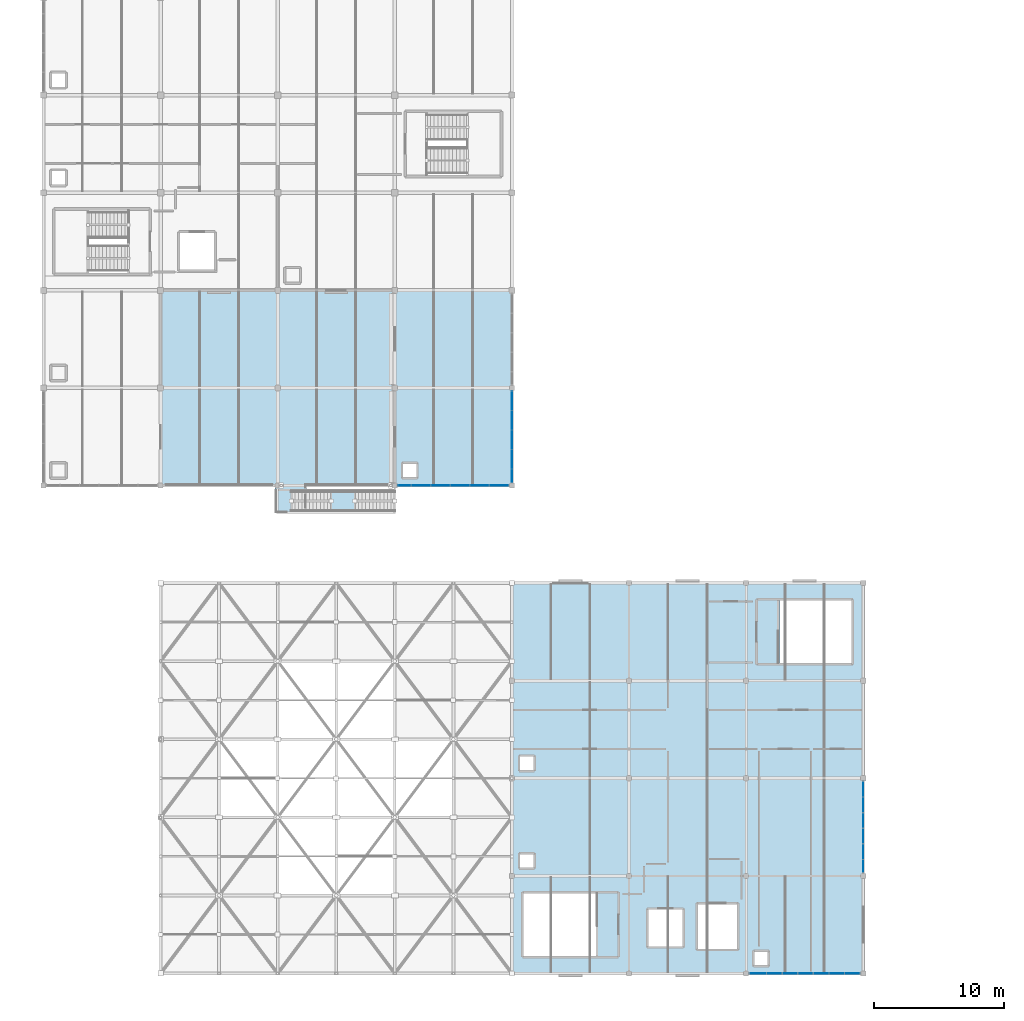
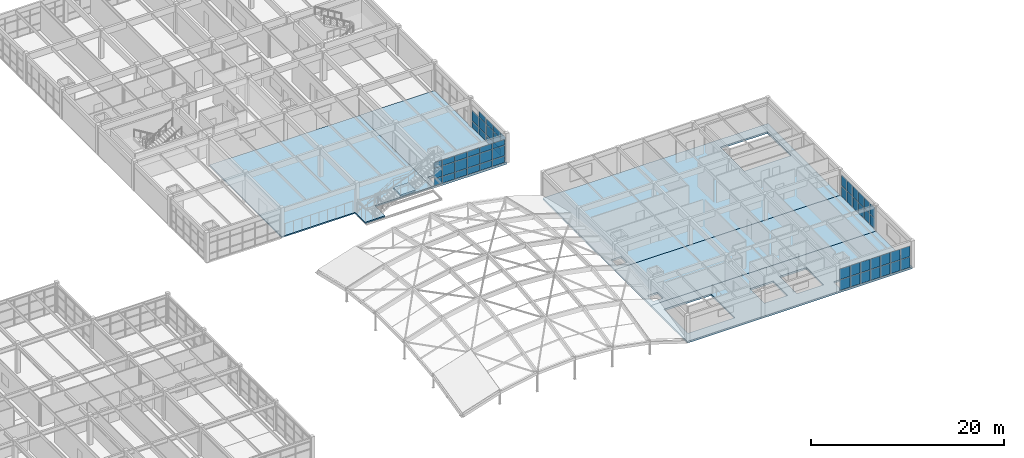
# One storey, part 54 of 81: 58 plates, 6 slabs, 5 elements without a shape of their own.
"""IFC4 building model written with IfcOpenShell, lengths in metres."""

from ifc_helpers import new_model, si_unit, direction, frame, origin, origin_2d, place, context, subcontext, project, spatial, polyline, rectangle, outline, extrude, material, layer, layer_set, type_object, element, aggregate, save


model = new_model("IFC4")

# Units and contexts
model_context = context("Model", 3, precision=1e-05, world=origin(), true_north=direction((0.0, 1.0)))
body_context = subcontext(model_context, "Body", "Model", "MODEL_VIEW")
ifc_project = project(units=[si_unit("LENGTHUNIT", "METRE"), si_unit("AREAUNIT", "SQUARE_METRE"), si_unit("VOLUMEUNIT", "CUBIC_METRE"), si_unit("PLANEANGLEUNIT", "RADIAN"), si_unit("MASSUNIT", "GRAM", prefix="KILO")], contexts=[model_context])

# Site, building, storey
site_placement = place(None, origin())
site = spatial("IfcSite", under=ifc_project, at=site_placement, CompositionType="ELEMENT")
building_placement = place(site_placement, origin())
building = spatial("IfcBuilding", under=site, at=building_placement, Name="Marnridge Secondary College", CompositionType="ELEMENT")
storey_placement = place(building_placement, frame((0.0, 0.0, 8.5)))
storey = spatial("IfcBuildingStorey", under=building, at=storey_placement, Name="L02", CompositionType="ELEMENT", Elevation=8.5)

# Curtain wall, plates
ifc_material_1 = material(Name="Thermally broken aluminium and low-E glazing", Category="aluminium")
ifc_layer_1 = layer(ifc_material_1, 0.159912109375)
ifc_layer_set_1 = layer_set([ifc_layer_1], Name="CW-MOD-1500")
curtain_wall_type_1 = type_object("IfcCurtainWallType", Name="CW-MOD-1500", PredefinedType="NOTDEFINED", material=ifc_layer_set_1)
curtain_wall_1_placement = place(storey_placement, origin())
curtain_wall_1 = element("IfcCurtainWall", 1, at=curtain_wall_1_placement, inside=storey, type_object=curtain_wall_type_1, Name="Unitised curtain wall CW-L02-079", PredefinedType="NOTDEFINED")
ifc_material_2 = material(Name="Double-glazed low-E argon unit", Category="glass")
ifc_layer_2 = layer(ifc_material_2, 0.028076171875)
ifc_layer_set_2 = layer_set([ifc_layer_2], Name="CWP-GLZ28")
plate_type = type_object("IfcPlateType", Name="CWP-GLZ28", PredefinedType="CURTAIN_PANEL", material=ifc_layer_set_2)
plate_1_placement = place(storey_placement, frame((90.0, 44.01611328125, 0.06005859375), z_axis=(0.0, 0.0, 1.0), x_axis=(0.0, -1.0, 0.0)))
plate_1 = element("IfcPlate", 2, at=plate_1_placement, type_object=plate_type, Name="CW-L02-079 panel 1.1", PredefinedType="CURTAIN_PANEL", context=body_context, shape_type="SweptSolid", body=[
    extrude(rectangle(XDim=1.43994140625, YDim=0.028076171875, at=origin_2d()), origin(), (0.0, 0.0, 1.0), 0.81005859375),
])
plate_2_placement = place(storey_placement, frame((90.0, 44.01611328125, 0.929931640625), z_axis=(0.0, 0.0, 1.0), x_axis=(0.0, -1.0, 0.0)))
plate_2 = element("IfcPlate", 3, at=plate_2_placement, type_object=plate_type, Name="CW-L02-079 panel 1.2", PredefinedType="CURTAIN_PANEL", context=body_context, shape_type="SweptSolid", body=[
    extrude(rectangle(XDim=1.43994140625, YDim=0.028076171875, at=origin_2d()), origin(), (0.0, 0.0, 1.0), 1.2900390625),
])
plate_3_placement = place(storey_placement, frame((90.0, 42.51611328125, 0.06005859375), z_axis=(0.0, 0.0, 1.0), x_axis=(0.0, -1.0, 0.0)))
plate_3 = element("IfcPlate", 4, at=plate_3_placement, type_object=plate_type, Name="CW-L02-079 panel 2.1", PredefinedType="CURTAIN_PANEL", context=body_context, shape_type="SweptSolid", body=[
    extrude(rectangle(XDim=1.43994140625, YDim=0.028076171875, at=origin_2d()), origin(), (0.0, 0.0, 1.0), 0.81005859375),
])
plate_4_placement = place(storey_placement, frame((90.0, 42.51611328125, 0.929931640625), z_axis=(0.0, 0.0, 1.0), x_axis=(0.0, -1.0, 0.0)))
plate_4 = element("IfcPlate", 5, at=plate_4_placement, type_object=plate_type, Name="CW-L02-079 panel 2.2", PredefinedType="CURTAIN_PANEL", context=body_context, shape_type="SweptSolid", body=[
    extrude(rectangle(XDim=1.43994140625, YDim=0.028076171875, at=origin_2d()), origin(), (0.0, 0.0, 1.0), 1.2900390625),
])
plate_5_placement = place(storey_placement, frame((90.0, 42.51611328125, 2.280029296875), z_axis=(0.0, 0.0, 1.0), x_axis=(0.0, -1.0, 0.0)))
plate_5 = element("IfcPlate", 6, at=plate_5_placement, type_object=plate_type, Name="CW-L02-079 panel 2.3", PredefinedType="CURTAIN_PANEL", context=body_context, shape_type="SweptSolid", body=[
    extrude(rectangle(XDim=1.43994140625, YDim=0.028076171875, at=origin_2d()), origin(), (0.0, 0.0, 1.0), 0.70703125),
])
plate_6_placement = place(storey_placement, frame((90.0, 41.01611328125, 0.06005859375), z_axis=(0.0, 0.0, 1.0), x_axis=(0.0, -1.0, 0.0)))
plate_6 = element("IfcPlate", 7, at=plate_6_placement, type_object=plate_type, Name="CW-L02-079 panel 3.1", PredefinedType="CURTAIN_PANEL", context=body_context, shape_type="SweptSolid", body=[
    extrude(rectangle(XDim=1.43994140625, YDim=0.028076171875, at=origin_2d()), origin(), (0.0, 0.0, 1.0), 0.81005859375),
])
plate_7_placement = place(storey_placement, frame((90.0, 41.01611328125, 0.929931640625), z_axis=(0.0, 0.0, 1.0), x_axis=(0.0, -1.0, 0.0)))
plate_7 = element("IfcPlate", 8, at=plate_7_placement, type_object=plate_type, Name="CW-L02-079 panel 3.2", PredefinedType="CURTAIN_PANEL", context=body_context, shape_type="SweptSolid", body=[
    extrude(rectangle(XDim=1.43994140625, YDim=0.028076171875, at=origin_2d()), origin(), (0.0, 0.0, 1.0), 1.2900390625),
])
plate_8_placement = place(storey_placement, frame((90.0, 41.01611328125, 2.280029296875), z_axis=(0.0, 0.0, 1.0), x_axis=(0.0, -1.0, 0.0)))
plate_8 = element("IfcPlate", 9, at=plate_8_placement, type_object=plate_type, Name="CW-L02-079 panel 3.3", PredefinedType="CURTAIN_PANEL", context=body_context, shape_type="SweptSolid", body=[
    extrude(rectangle(XDim=1.43994140625, YDim=0.028076171875, at=origin_2d()), origin(), (0.0, 0.0, 1.0), 0.70703125),
])
plate_9_placement = place(storey_placement, frame((90.0, 39.51611328125, 0.06005859375), z_axis=(0.0, 0.0, 1.0), x_axis=(0.0, -1.0, 0.0)))
plate_9 = element("IfcPlate", 10, at=plate_9_placement, type_object=plate_type, Name="CW-L02-079 panel 4.1", PredefinedType="CURTAIN_PANEL", context=body_context, shape_type="SweptSolid", body=[
    extrude(rectangle(XDim=1.43994140625, YDim=0.028076171875, at=origin_2d()), origin(), (0.0, 0.0, 1.0), 0.81005859375),
])
plate_10_placement = place(storey_placement, frame((90.0, 39.51611328125, 0.929931640625), z_axis=(0.0, 0.0, 1.0), x_axis=(0.0, -1.0, 0.0)))
plate_10 = element("IfcPlate", 11, at=plate_10_placement, type_object=plate_type, Name="CW-L02-079 panel 4.2", PredefinedType="CURTAIN_PANEL", context=body_context, shape_type="SweptSolid", body=[
    extrude(rectangle(XDim=1.43994140625, YDim=0.028076171875, at=origin_2d()), origin(), (0.0, 0.0, 1.0), 1.2900390625),
])
plate_11_placement = place(storey_placement, frame((90.0, 39.51611328125, 2.280029296875), z_axis=(0.0, 0.0, 1.0), x_axis=(0.0, -1.0, 0.0)))
plate_11 = element("IfcPlate", 12, at=plate_11_placement, type_object=plate_type, Name="CW-L02-079 panel 4.3", PredefinedType="CURTAIN_PANEL", context=body_context, shape_type="SweptSolid", body=[
    extrude(rectangle(XDim=1.43994140625, YDim=0.028076171875, at=origin_2d()), origin(), (0.0, 0.0, 1.0), 0.70703125),
])
plate_12_placement = place(storey_placement, frame((90.0, 38.25, 0.06005859375), z_axis=(0.0, 0.0, 1.0), x_axis=(0.0, -1.0, 0.0)))
plate_12 = element("IfcPlate", 13, at=plate_12_placement, type_object=plate_type, Name="CW-L02-079 panel 5.1", PredefinedType="CURTAIN_PANEL", context=body_context, shape_type="SweptSolid", body=[
    extrude(rectangle(XDim=0.971923828125, YDim=0.028076171875, at=origin_2d()), origin(), (0.0, 0.0, 1.0), 0.81005859375),
])
plate_13_placement = place(storey_placement, frame((90.0, 38.25, 0.929931640625), z_axis=(0.0, 0.0, 1.0), x_axis=(0.0, -1.0, 0.0)))
plate_13 = element("IfcPlate", 14, at=plate_13_placement, type_object=plate_type, Name="CW-L02-079 panel 5.2", PredefinedType="CURTAIN_PANEL", context=body_context, shape_type="SweptSolid", body=[
    extrude(rectangle(XDim=0.971923828125, YDim=0.028076171875, at=origin_2d()), origin(), (0.0, 0.0, 1.0), 1.2900390625),
])
plate_14_placement = place(storey_placement, frame((90.0, 38.25, 2.280029296875), z_axis=(0.0, 0.0, 1.0), x_axis=(0.0, -1.0, 0.0)))
plate_14 = element("IfcPlate", 15, at=plate_14_placement, type_object=plate_type, Name="CW-L02-079 panel 5.3", PredefinedType="CURTAIN_PANEL", context=body_context, shape_type="SweptSolid", body=[
    extrude(rectangle(XDim=0.971923828125, YDim=0.028076171875, at=origin_2d()), origin(), (0.0, 0.0, 1.0), 0.70703125),
])
aggregate(curtain_wall_1, [plate_1, plate_2, plate_3, plate_4, plate_5, plate_6, plate_7, plate_8, plate_9, plate_10, plate_11, plate_12, plate_13, plate_14])

curtain_wall_2_placement = place(storey_placement, origin())
curtain_wall_2 = element("IfcCurtainWall", 16, at=curtain_wall_2_placement, inside=storey, type_object=curtain_wall_type_1, Name="Unitised curtain wall CW-L02-080", PredefinedType="NOTDEFINED")
plate_15_placement = place(storey_placement, frame((89.01611328125, 37.5, 0.06005859375), z_axis=(0.0, 0.0, 1.0), x_axis=(-1.0, 0.0, 0.0)))
plate_15 = element("IfcPlate", 17, at=plate_15_placement, type_object=plate_type, Name="CW-L02-080 panel 1.1", PredefinedType="CURTAIN_PANEL", context=body_context, shape_type="SweptSolid", body=[
    extrude(rectangle(XDim=1.43994140625, YDim=0.028076171875, at=origin_2d()), origin(), (0.0, 0.0, 1.0), 0.81005859375),
])
plate_16_placement = place(storey_placement, frame((89.01611328125, 37.5, 0.929931640625), z_axis=(0.0, 0.0, 1.0), x_axis=(-1.0, 0.0, 0.0)))
plate_16 = element("IfcPlate", 18, at=plate_16_placement, type_object=plate_type, Name="CW-L02-080 panel 1.2", PredefinedType="CURTAIN_PANEL", context=body_context, shape_type="SweptSolid", body=[
    extrude(rectangle(XDim=1.43994140625, YDim=0.028076171875, at=origin_2d()), origin(), (0.0, 0.0, 1.0), 1.2900390625),
])
plate_17_placement = place(storey_placement, frame((89.01611328125, 37.5, 2.280029296875), z_axis=(0.0, 0.0, 1.0), x_axis=(-1.0, 0.0, 0.0)))
plate_17 = element("IfcPlate", 19, at=plate_17_placement, type_object=plate_type, Name="CW-L02-080 panel 1.3", PredefinedType="CURTAIN_PANEL", context=body_context, shape_type="SweptSolid", body=[
    extrude(rectangle(XDim=1.43994140625, YDim=0.028076171875, at=origin_2d()), origin(), (0.0, 0.0, 1.0), 0.70703125),
])
plate_18_placement = place(storey_placement, frame((87.51611328125, 37.5, 0.06005859375), z_axis=(0.0, 0.0, 1.0), x_axis=(-1.0, 0.0, 0.0)))
plate_18 = element("IfcPlate", 20, at=plate_18_placement, type_object=plate_type, Name="CW-L02-080 panel 2.1", PredefinedType="CURTAIN_PANEL", context=body_context, shape_type="SweptSolid", body=[
    extrude(rectangle(XDim=1.43994140625, YDim=0.028076171875, at=origin_2d()), origin(), (0.0, 0.0, 1.0), 0.81005859375),
])
plate_19_placement = place(storey_placement, frame((87.51611328125, 37.5, 0.929931640625), z_axis=(0.0, 0.0, 1.0), x_axis=(-1.0, 0.0, 0.0)))
plate_19 = element("IfcPlate", 21, at=plate_19_placement, type_object=plate_type, Name="CW-L02-080 panel 2.2", PredefinedType="CURTAIN_PANEL", context=body_context, shape_type="SweptSolid", body=[
    extrude(rectangle(XDim=1.43994140625, YDim=0.028076171875, at=origin_2d()), origin(), (0.0, 0.0, 1.0), 1.2900390625),
])
plate_20_placement = place(storey_placement, frame((87.51611328125, 37.5, 2.280029296875), z_axis=(0.0, 0.0, 1.0), x_axis=(-1.0, 0.0, 0.0)))
plate_20 = element("IfcPlate", 22, at=plate_20_placement, type_object=plate_type, Name="CW-L02-080 panel 2.3", PredefinedType="CURTAIN_PANEL", context=body_context, shape_type="SweptSolid", body=[
    extrude(rectangle(XDim=1.43994140625, YDim=0.028076171875, at=origin_2d()), origin(), (0.0, 0.0, 1.0), 0.70703125),
])
plate_21_placement = place(storey_placement, frame((86.01611328125, 37.5, 0.06005859375), z_axis=(0.0, 0.0, 1.0), x_axis=(-1.0, 0.0, 0.0)))
plate_21 = element("IfcPlate", 23, at=plate_21_placement, type_object=plate_type, Name="CW-L02-080 panel 3.1", PredefinedType="CURTAIN_PANEL", context=body_context, shape_type="SweptSolid", body=[
    extrude(rectangle(XDim=1.43994140625, YDim=0.028076171875, at=origin_2d()), origin(), (0.0, 0.0, 1.0), 0.81005859375),
])
plate_22_placement = place(storey_placement, frame((86.01611328125, 37.5, 0.929931640625), z_axis=(0.0, 0.0, 1.0), x_axis=(-1.0, 0.0, 0.0)))
plate_22 = element("IfcPlate", 24, at=plate_22_placement, type_object=plate_type, Name="CW-L02-080 panel 3.2", PredefinedType="CURTAIN_PANEL", context=body_context, shape_type="SweptSolid", body=[
    extrude(rectangle(XDim=1.43994140625, YDim=0.028076171875, at=origin_2d()), origin(), (0.0, 0.0, 1.0), 1.2900390625),
])
plate_23_placement = place(storey_placement, frame((86.01611328125, 37.5, 2.280029296875), z_axis=(0.0, 0.0, 1.0), x_axis=(-1.0, 0.0, 0.0)))
plate_23 = element("IfcPlate", 25, at=plate_23_placement, type_object=plate_type, Name="CW-L02-080 panel 3.3", PredefinedType="CURTAIN_PANEL", context=body_context, shape_type="SweptSolid", body=[
    extrude(rectangle(XDim=1.43994140625, YDim=0.028076171875, at=origin_2d()), origin(), (0.0, 0.0, 1.0), 0.70703125),
])
plate_24_placement = place(storey_placement, frame((84.51611328125, 37.5, 0.06005859375), z_axis=(0.0, 0.0, 1.0), x_axis=(-1.0, 0.0, 0.0)))
plate_24 = element("IfcPlate", 26, at=plate_24_placement, type_object=plate_type, Name="CW-L02-080 panel 4.1", PredefinedType="CURTAIN_PANEL", context=body_context, shape_type="SweptSolid", body=[
    extrude(rectangle(XDim=1.43994140625, YDim=0.028076171875, at=origin_2d()), origin(), (0.0, 0.0, 1.0), 0.81005859375),
])
plate_25_placement = place(storey_placement, frame((84.51611328125, 37.5, 0.929931640625), z_axis=(0.0, 0.0, 1.0), x_axis=(-1.0, 0.0, 0.0)))
plate_25 = element("IfcPlate", 27, at=plate_25_placement, type_object=plate_type, Name="CW-L02-080 panel 4.2", PredefinedType="CURTAIN_PANEL", context=body_context, shape_type="SweptSolid", body=[
    extrude(rectangle(XDim=1.43994140625, YDim=0.028076171875, at=origin_2d()), origin(), (0.0, 0.0, 1.0), 1.2900390625),
])
plate_26_placement = place(storey_placement, frame((84.51611328125, 37.5, 2.280029296875), z_axis=(0.0, 0.0, 1.0), x_axis=(-1.0, 0.0, 0.0)))
plate_26 = element("IfcPlate", 28, at=plate_26_placement, type_object=plate_type, Name="CW-L02-080 panel 4.3", PredefinedType="CURTAIN_PANEL", context=body_context, shape_type="SweptSolid", body=[
    extrude(rectangle(XDim=1.43994140625, YDim=0.028076171875, at=origin_2d()), origin(), (0.0, 0.0, 1.0), 0.70703125),
])
plate_27_placement = place(storey_placement, frame((83.01611328125, 37.5, 0.06005859375), z_axis=(0.0, 0.0, 1.0), x_axis=(-1.0, 0.0, 0.0)))
plate_27 = element("IfcPlate", 29, at=plate_27_placement, type_object=plate_type, Name="CW-L02-080 panel 5.1", PredefinedType="CURTAIN_PANEL", context=body_context, shape_type="SweptSolid", body=[
    extrude(rectangle(XDim=1.43994140625, YDim=0.028076171875, at=origin_2d()), origin(), (0.0, 0.0, 1.0), 0.81005859375),
])
plate_28_placement = place(storey_placement, frame((83.01611328125, 37.5, 0.929931640625), z_axis=(0.0, 0.0, 1.0), x_axis=(-1.0, 0.0, 0.0)))
plate_28 = element("IfcPlate", 30, at=plate_28_placement, type_object=plate_type, Name="CW-L02-080 panel 5.2", PredefinedType="CURTAIN_PANEL", context=body_context, shape_type="SweptSolid", body=[
    extrude(rectangle(XDim=1.43994140625, YDim=0.028076171875, at=origin_2d()), origin(), (0.0, 0.0, 1.0), 1.2900390625),
])
plate_29_placement = place(storey_placement, frame((83.01611328125, 37.5, 2.280029296875), z_axis=(0.0, 0.0, 1.0), x_axis=(-1.0, 0.0, 0.0)))
plate_29 = element("IfcPlate", 31, at=plate_29_placement, type_object=plate_type, Name="CW-L02-080 panel 5.3", PredefinedType="CURTAIN_PANEL", context=body_context, shape_type="SweptSolid", body=[
    extrude(rectangle(XDim=1.43994140625, YDim=0.028076171875, at=origin_2d()), origin(), (0.0, 0.0, 1.0), 0.70703125),
])
plate_30_placement = place(storey_placement, frame((81.75, 37.5, 0.06005859375), z_axis=(0.0, 0.0, 1.0), x_axis=(-1.0, 0.0, 0.0)))
plate_30 = element("IfcPlate", 32, at=plate_30_placement, type_object=plate_type, Name="CW-L02-080 panel 6.1", PredefinedType="CURTAIN_PANEL", context=body_context, shape_type="SweptSolid", body=[
    extrude(rectangle(XDim=0.971923828125, YDim=0.028076171875, at=origin_2d()), origin(), (0.0, 0.0, 1.0), 0.81005859375),
])
plate_31_placement = place(storey_placement, frame((81.75, 37.5, 0.929931640625), z_axis=(0.0, 0.0, 1.0), x_axis=(-1.0, 0.0, 0.0)))
plate_31 = element("IfcPlate", 33, at=plate_31_placement, type_object=plate_type, Name="CW-L02-080 panel 6.2", PredefinedType="CURTAIN_PANEL", context=body_context, shape_type="SweptSolid", body=[
    extrude(rectangle(XDim=0.971923828125, YDim=0.028076171875, at=origin_2d()), origin(), (0.0, 0.0, 1.0), 1.2900390625),
])
plate_32_placement = place(storey_placement, frame((81.75, 37.5, 2.280029296875), z_axis=(0.0, 0.0, 1.0), x_axis=(-1.0, 0.0, 0.0)))
plate_32 = element("IfcPlate", 34, at=plate_32_placement, type_object=plate_type, Name="CW-L02-080 panel 6.3", PredefinedType="CURTAIN_PANEL", context=body_context, shape_type="SweptSolid", body=[
    extrude(rectangle(XDim=0.971923828125, YDim=0.028076171875, at=origin_2d()), origin(), (0.0, 0.0, 1.0), 0.70703125),
])
aggregate(curtain_wall_2, [plate_15, plate_16, plate_17, plate_18, plate_19, plate_20, plate_21, plate_22, plate_23, plate_24, plate_25, plate_26, plate_27, plate_28, plate_29, plate_30, plate_31, plate_32])

ifc_material_3 = material(Name="Thermally broken aluminium and low-E glazing", Category="aluminium")
ifc_layer_3 = layer(ifc_material_3, 0.179931640625)
ifc_layer_set_3 = layer_set([ifc_layer_3], Name="CW-MOD-1200")
curtain_wall_type_2 = type_object("IfcCurtainWallType", Name="CW-MOD-1200", PredefinedType="NOTDEFINED", material=ifc_layer_set_3)
curtain_wall_3_placement = place(storey_placement, origin())
curtain_wall_3 = element("IfcCurtainWall", 35, at=curtain_wall_3_placement, inside=storey, type_object=curtain_wall_type_2, Name="Unitised curtain wall CW-L02-085", PredefinedType="NOTDEFINED")
plate_33_placement = place(storey_placement, frame((117.0, 14.16357421875, 0.06005859375), z_axis=(0.0, 0.0, 1.0), x_axis=(0.0, -1.0, 0.0)))
plate_33 = element("IfcPlate", 36, at=plate_33_placement, type_object=plate_type, Name="CW-L02-085 panel 1.1", PredefinedType="CURTAIN_PANEL", context=body_context, shape_type="SweptSolid", body=[
    extrude(rectangle(XDim=1.135009765625, YDim=0.028076171875, at=origin_2d()), origin(), (0.0, 0.0, 1.0), 1.322998046875),
])
plate_34_placement = place(storey_placement, frame((117.0, 14.16357421875, 1.44287109375), z_axis=(0.0, 0.0, 1.0), x_axis=(0.0, -1.0, 0.0)))
plate_34 = element("IfcPlate", 37, at=plate_34_placement, type_object=plate_type, Name="CW-L02-085 panel 1.2", PredefinedType="CURTAIN_PANEL", context=body_context, shape_type="SweptSolid", body=[
    extrude(rectangle(XDim=1.135009765625, YDim=0.028076171875, at=origin_2d()), origin(), (0.0, 0.0, 1.0), 1.323974609375),
])
plate_35_placement = place(storey_placement, frame((117.0, 12.96337890625, 0.06005859375), z_axis=(0.0, 0.0, 1.0), x_axis=(0.0, -1.0, 0.0)))
plate_35 = element("IfcPlate", 38, at=plate_35_placement, type_object=plate_type, Name="CW-L02-085 panel 2.1", PredefinedType="CURTAIN_PANEL", context=body_context, shape_type="SweptSolid", body=[
    extrude(rectangle(XDim=1.135009765625, YDim=0.028076171875, at=origin_2d()), origin(), (0.0, 0.0, 1.0), 1.322998046875),
])
plate_36_placement = place(storey_placement, frame((117.0, 12.96337890625, 1.44287109375), z_axis=(0.0, 0.0, 1.0), x_axis=(0.0, -1.0, 0.0)))
plate_36 = element("IfcPlate", 39, at=plate_36_placement, type_object=plate_type, Name="CW-L02-085 panel 2.2", PredefinedType="CURTAIN_PANEL", context=body_context, shape_type="SweptSolid", body=[
    extrude(rectangle(XDim=1.135009765625, YDim=0.028076171875, at=origin_2d()), origin(), (0.0, 0.0, 1.0), 1.323974609375),
])
plate_37_placement = place(storey_placement, frame((117.0, 11.763427734375, 0.06005859375), z_axis=(0.0, 0.0, 1.0), x_axis=(0.0, -1.0, 0.0)))
plate_37 = element("IfcPlate", 40, at=plate_37_placement, type_object=plate_type, Name="CW-L02-085 panel 3.1", PredefinedType="CURTAIN_PANEL", context=body_context, shape_type="SweptSolid", body=[
    extrude(rectangle(XDim=1.135009765625, YDim=0.028076171875, at=origin_2d()), origin(), (0.0, 0.0, 1.0), 1.322998046875),
])
plate_38_placement = place(storey_placement, frame((117.0, 11.763427734375, 1.44287109375), z_axis=(0.0, 0.0, 1.0), x_axis=(0.0, -1.0, 0.0)))
plate_38 = element("IfcPlate", 41, at=plate_38_placement, type_object=plate_type, Name="CW-L02-085 panel 3.2", PredefinedType="CURTAIN_PANEL", context=body_context, shape_type="SweptSolid", body=[
    extrude(rectangle(XDim=1.135009765625, YDim=0.028076171875, at=origin_2d()), origin(), (0.0, 0.0, 1.0), 1.323974609375),
])
plate_39_placement = place(storey_placement, frame((117.0, 10.5634765625, 0.06005859375), z_axis=(0.0, 0.0, 1.0), x_axis=(0.0, -1.0, 0.0)))
plate_39 = element("IfcPlate", 42, at=plate_39_placement, type_object=plate_type, Name="CW-L02-085 panel 4.1", PredefinedType="CURTAIN_PANEL", context=body_context, shape_type="SweptSolid", body=[
    extrude(rectangle(XDim=1.135009765625, YDim=0.028076171875, at=origin_2d()), origin(), (0.0, 0.0, 1.0), 1.322998046875),
])
plate_40_placement = place(storey_placement, frame((117.0, 10.5634765625, 1.44287109375), z_axis=(0.0, 0.0, 1.0), x_axis=(0.0, -1.0, 0.0)))
plate_40 = element("IfcPlate", 43, at=plate_40_placement, type_object=plate_type, Name="CW-L02-085 panel 4.2", PredefinedType="CURTAIN_PANEL", context=body_context, shape_type="SweptSolid", body=[
    extrude(rectangle(XDim=1.135009765625, YDim=0.028076171875, at=origin_2d()), origin(), (0.0, 0.0, 1.0), 1.323974609375),
])
plate_41_placement = place(storey_placement, frame((117.0, 9.363525390625, 0.06005859375), z_axis=(0.0, 0.0, 1.0), x_axis=(0.0, -1.0, 0.0)))
plate_41 = element("IfcPlate", 44, at=plate_41_placement, type_object=plate_type, Name="CW-L02-085 panel 5.1", PredefinedType="CURTAIN_PANEL", context=body_context, shape_type="SweptSolid", body=[
    extrude(rectangle(XDim=1.135009765625, YDim=0.028076171875, at=origin_2d()), origin(), (0.0, 0.0, 1.0), 1.322998046875),
])
plate_42_placement = place(storey_placement, frame((117.0, 9.363525390625, 1.44287109375), z_axis=(0.0, 0.0, 1.0), x_axis=(0.0, -1.0, 0.0)))
plate_42 = element("IfcPlate", 45, at=plate_42_placement, type_object=plate_type, Name="CW-L02-085 panel 5.2", PredefinedType="CURTAIN_PANEL", context=body_context, shape_type="SweptSolid", body=[
    extrude(rectangle(XDim=1.135009765625, YDim=0.028076171875, at=origin_2d()), origin(), (0.0, 0.0, 1.0), 1.323974609375),
])
plate_43_placement = place(storey_placement, frame((117.0, 8.25, 0.06005859375), z_axis=(0.0, 0.0, 1.0), x_axis=(0.0, -1.0, 0.0)))
plate_43 = element("IfcPlate", 46, at=plate_43_placement, type_object=plate_type, Name="CW-L02-085 panel 6.1", PredefinedType="CURTAIN_PANEL", context=body_context, shape_type="SweptSolid", body=[
    extrude(rectangle(XDim=0.9619140625, YDim=0.028076171875, at=origin_2d()), origin(), (0.0, 0.0, 1.0), 1.322998046875),
])
plate_44_placement = place(storey_placement, frame((117.0, 8.25, 1.44287109375), z_axis=(0.0, 0.0, 1.0), x_axis=(0.0, -1.0, 0.0)))
plate_44 = element("IfcPlate", 47, at=plate_44_placement, type_object=plate_type, Name="CW-L02-085 panel 6.2", PredefinedType="CURTAIN_PANEL", context=body_context, shape_type="SweptSolid", body=[
    extrude(rectangle(XDim=0.9619140625, YDim=0.028076171875, at=origin_2d()), origin(), (0.0, 0.0, 1.0), 1.323974609375),
])
aggregate(curtain_wall_3, [plate_33, plate_34, plate_35, plate_36, plate_37, plate_38, plate_39, plate_40, plate_41, plate_42, plate_43, plate_44])

curtain_wall_4_placement = place(storey_placement, origin())
curtain_wall_4 = element("IfcCurtainWall", 48, at=curtain_wall_4_placement, inside=storey, type_object=curtain_wall_type_2, Name="Unitised curtain wall CW-L02-086", PredefinedType="NOTDEFINED")
plate_45_placement = place(storey_placement, frame((116.16357421875, 0.0, 0.06005859375), z_axis=(0.0, 0.0, 1.0), x_axis=(-1.0, 0.0, 0.0)))
plate_45 = element("IfcPlate", 49, at=plate_45_placement, type_object=plate_type, Name="CW-L02-086 panel 1.1", PredefinedType="CURTAIN_PANEL", context=body_context, shape_type="SweptSolid", body=[
    extrude(rectangle(XDim=1.135009765625, YDim=0.028076171875, at=origin_2d()), origin(), (0.0, 0.0, 1.0), 1.322998046875),
])
plate_46_placement = place(storey_placement, frame((116.16357421875, 0.0, 1.44287109375), z_axis=(0.0, 0.0, 1.0), x_axis=(-1.0, 0.0, 0.0)))
plate_46 = element("IfcPlate", 50, at=plate_46_placement, type_object=plate_type, Name="CW-L02-086 panel 1.2", PredefinedType="CURTAIN_PANEL", context=body_context, shape_type="SweptSolid", body=[
    extrude(rectangle(XDim=1.135009765625, YDim=0.028076171875, at=origin_2d()), origin(), (0.0, 0.0, 1.0), 1.323974609375),
])
plate_47_placement = place(storey_placement, frame((114.96337890625, 0.0, 0.06005859375), z_axis=(0.0, 0.0, 1.0), x_axis=(-1.0, 0.0, 0.0)))
plate_47 = element("IfcPlate", 51, at=plate_47_placement, type_object=plate_type, Name="CW-L02-086 panel 2.1", PredefinedType="CURTAIN_PANEL", context=body_context, shape_type="SweptSolid", body=[
    extrude(rectangle(XDim=1.135009765625, YDim=0.028076171875, at=origin_2d()), origin(), (0.0, 0.0, 1.0), 1.322998046875),
])
plate_48_placement = place(storey_placement, frame((114.96337890625, 0.0, 1.44287109375), z_axis=(0.0, 0.0, 1.0), x_axis=(-1.0, 0.0, 0.0)))
plate_48 = element("IfcPlate", 52, at=plate_48_placement, type_object=plate_type, Name="CW-L02-086 panel 2.2", PredefinedType="CURTAIN_PANEL", context=body_context, shape_type="SweptSolid", body=[
    extrude(rectangle(XDim=1.135009765625, YDim=0.028076171875, at=origin_2d()), origin(), (0.0, 0.0, 1.0), 1.323974609375),
])
plate_49_placement = place(storey_placement, frame((113.763427734375, 0.0, 0.06005859375), z_axis=(0.0, 0.0, 1.0), x_axis=(-1.0, 0.0, 0.0)))
plate_49 = element("IfcPlate", 53, at=plate_49_placement, type_object=plate_type, Name="CW-L02-086 panel 3.1", PredefinedType="CURTAIN_PANEL", context=body_context, shape_type="SweptSolid", body=[
    extrude(rectangle(XDim=1.135009765625, YDim=0.028076171875, at=origin_2d()), origin(), (0.0, 0.0, 1.0), 1.322998046875),
])
plate_50_placement = place(storey_placement, frame((113.763427734375, 0.0, 1.44287109375), z_axis=(0.0, 0.0, 1.0), x_axis=(-1.0, 0.0, 0.0)))
plate_50 = element("IfcPlate", 54, at=plate_50_placement, type_object=plate_type, Name="CW-L02-086 panel 3.2", PredefinedType="CURTAIN_PANEL", context=body_context, shape_type="SweptSolid", body=[
    extrude(rectangle(XDim=1.135009765625, YDim=0.028076171875, at=origin_2d()), origin(), (0.0, 0.0, 1.0), 1.323974609375),
])
plate_51_placement = place(storey_placement, frame((112.5634765625, 0.0, 0.06005859375), z_axis=(0.0, 0.0, 1.0), x_axis=(-1.0, 0.0, 0.0)))
plate_51 = element("IfcPlate", 55, at=plate_51_placement, type_object=plate_type, Name="CW-L02-086 panel 4.1", PredefinedType="CURTAIN_PANEL", context=body_context, shape_type="SweptSolid", body=[
    extrude(rectangle(XDim=1.135009765625, YDim=0.028076171875, at=origin_2d()), origin(), (0.0, 0.0, 1.0), 1.322998046875),
])
plate_52_placement = place(storey_placement, frame((112.5634765625, 0.0, 1.44287109375), z_axis=(0.0, 0.0, 1.0), x_axis=(-1.0, 0.0, 0.0)))
plate_52 = element("IfcPlate", 56, at=plate_52_placement, type_object=plate_type, Name="CW-L02-086 panel 4.2", PredefinedType="CURTAIN_PANEL", context=body_context, shape_type="SweptSolid", body=[
    extrude(rectangle(XDim=1.135009765625, YDim=0.028076171875, at=origin_2d()), origin(), (0.0, 0.0, 1.0), 1.323974609375),
])
plate_53_placement = place(storey_placement, frame((111.363525390625, 0.0, 0.06005859375), z_axis=(0.0, 0.0, 1.0), x_axis=(-1.0, 0.0, 0.0)))
plate_53 = element("IfcPlate", 57, at=plate_53_placement, type_object=plate_type, Name="CW-L02-086 panel 5.1", PredefinedType="CURTAIN_PANEL", context=body_context, shape_type="SweptSolid", body=[
    extrude(rectangle(XDim=1.135009765625, YDim=0.028076171875, at=origin_2d()), origin(), (0.0, 0.0, 1.0), 1.322998046875),
])
plate_54_placement = place(storey_placement, frame((111.363525390625, 0.0, 1.44287109375), z_axis=(0.0, 0.0, 1.0), x_axis=(-1.0, 0.0, 0.0)))
plate_54 = element("IfcPlate", 58, at=plate_54_placement, type_object=plate_type, Name="CW-L02-086 panel 5.2", PredefinedType="CURTAIN_PANEL", context=body_context, shape_type="SweptSolid", body=[
    extrude(rectangle(XDim=1.135009765625, YDim=0.028076171875, at=origin_2d()), origin(), (0.0, 0.0, 1.0), 1.323974609375),
])
plate_55_placement = place(storey_placement, frame((110.16357421875, 0.0, 0.06005859375), z_axis=(0.0, 0.0, 1.0), x_axis=(-1.0, 0.0, 0.0)))
plate_55 = element("IfcPlate", 59, at=plate_55_placement, type_object=plate_type, Name="CW-L02-086 panel 6.1", PredefinedType="CURTAIN_PANEL", context=body_context, shape_type="SweptSolid", body=[
    extrude(rectangle(XDim=1.135009765625, YDim=0.028076171875, at=origin_2d()), origin(), (0.0, 0.0, 1.0), 1.322998046875),
])
plate_56_placement = place(storey_placement, frame((110.16357421875, 0.0, 1.44287109375), z_axis=(0.0, 0.0, 1.0), x_axis=(-1.0, 0.0, 0.0)))
plate_56 = element("IfcPlate", 60, at=plate_56_placement, type_object=plate_type, Name="CW-L02-086 panel 6.2", PredefinedType="CURTAIN_PANEL", context=body_context, shape_type="SweptSolid", body=[
    extrude(rectangle(XDim=1.135009765625, YDim=0.028076171875, at=origin_2d()), origin(), (0.0, 0.0, 1.0), 1.323974609375),
])
plate_57_placement = place(storey_placement, frame((108.89990234375, 0.0, 0.06005859375), z_axis=(0.0, 0.0, 1.0), x_axis=(-1.0, 0.0, 0.0)))
plate_57 = element("IfcPlate", 61, at=plate_57_placement, type_object=plate_type, Name="CW-L02-086 panel 7.1", PredefinedType="CURTAIN_PANEL", context=body_context, shape_type="SweptSolid", body=[
    extrude(rectangle(XDim=1.261962890625, YDim=0.028076171875, at=origin_2d()), origin(), (0.0, 0.0, 1.0), 1.322998046875),
])
plate_58_placement = place(storey_placement, frame((108.89990234375, 0.0, 1.44287109375), z_axis=(0.0, 0.0, 1.0), x_axis=(-1.0, 0.0, 0.0)))
plate_58 = element("IfcPlate", 62, at=plate_58_placement, type_object=plate_type, Name="CW-L02-086 panel 7.2", PredefinedType="CURTAIN_PANEL", context=body_context, shape_type="SweptSolid", body=[
    extrude(rectangle(XDim=1.261962890625, YDim=0.028076171875, at=origin_2d()), origin(), (0.0, 0.0, 1.0), 1.323974609375),
])
aggregate(curtain_wall_4, [plate_45, plate_46, plate_47, plate_48, plate_49, plate_50, plate_51, plate_52, plate_53, plate_54, plate_55, plate_56, plate_57, plate_58])

# Slabs
ifc_material_4 = material(Name="Cross-laminated timber CL7", Category="wood")
ifc_layer_4 = layer(ifc_material_4, 0.22998046875)
ifc_layer_set_4 = layer_set([ifc_layer_4], Name="SL-CLT-230")
slab_type_1 = type_object("IfcSlabType", Name="SL-CLT-230", PredefinedType="FLOOR", material=ifc_layer_set_4)
slab_1_placement = place(storey_placement, frame((0.0, 0.0, -0.22998046875)))
element("IfcSlab", 63, at=slab_1_placement, inside=storey, type_object=slab_type_1, Name="Floor slab SL-L02-029", PredefinedType="FLOOR", context=body_context, shape_type="SweptSolid", body=[
    extrude(outline(polyline([(90.0, 0.0), (90.0, 7.5), (117.0, 7.5), (117.0, 0.0), (90.0, 0.0)]), holes=[polyline([(90.800048828125, 1.25), (96.449951171875, 1.25), (96.449951171875, 6.25), (90.800048828125, 6.25), (90.800048828125, 1.25)]), polyline([(100.39990234375, 2.0), (103.199951171875, 2.0), (103.199951171875, 5.0), (100.39990234375, 5.0), (100.39990234375, 2.0)]), polyline([(104.199951171875, 1.800048828125), (107.39990234375, 1.800048828125), (107.39990234375, 5.39990234375), (104.199951171875, 5.39990234375), (104.199951171875, 1.800048828125)]), polyline([(108.550048828125, 0.550048828125), (109.75, 0.550048828125), (109.75, 1.75), (108.550048828125, 1.75), (108.550048828125, 0.550048828125)])]), origin(), (0.0, 0.0, 1.0), 0.22998046875),
])
slab_2_placement = place(storey_placement, frame((0.0, 0.0, -0.22998046875)))
element("IfcSlab", 64, at=slab_2_placement, inside=storey, type_object=slab_type_1, Name="Floor slab SL-L02-030", PredefinedType="FLOOR", context=body_context, shape_type="SweptSolid", body=[
    extrude(outline(polyline([(90.0, 7.5), (90.0, 15.0), (117.0, 15.0), (117.0, 7.5), (90.0, 7.5)]), holes=[polyline([(90.550048828125, 8.050048828125), (91.75, 8.050048828125), (91.75, 9.25), (90.550048828125, 9.25), (90.550048828125, 8.050048828125)])]), origin(), (0.0, 0.0, 1.0), 0.22998046875),
])
slab_3_placement = place(storey_placement, frame((0.0, 0.0, -0.22998046875)))
element("IfcSlab", 65, at=slab_3_placement, inside=storey, type_object=slab_type_1, Name="Floor slab SL-L02-031", PredefinedType="FLOOR", context=body_context, shape_type="SweptSolid", body=[
    extrude(outline(polyline([(90.0, 30.0), (117.0, 30.0), (117.0, 15.0), (90.0, 15.0), (90.0, 30.0)]), holes=[polyline([(110.550048828125, 23.75), (116.199951171875, 23.75), (116.199951171875, 28.75), (110.550048828125, 28.75), (110.550048828125, 23.75)]), polyline([(90.550048828125, 15.550048828125), (91.75, 15.550048828125), (91.75, 16.75), (90.550048828125, 16.75), (90.550048828125, 15.550048828125)])]), origin(), (0.0, 0.0, 1.0), 0.22998046875),
])
ifc_material_5 = material(Name="Cross-laminated timber CL7", Category="wood")
ifc_layer_5 = layer(ifc_material_5, 0.260009765625)
ifc_layer_set_5 = layer_set([ifc_layer_5], Name="SL-CLT-260")
slab_type_2 = type_object("IfcSlabType", Name="SL-CLT-260", PredefinedType="FLOOR", material=ifc_layer_set_5)
slab_4_placement = place(storey_placement, frame((0.0, 0.0, -0.260009765625)))
element("IfcSlab", 66, at=slab_4_placement, inside=storey, type_object=slab_type_2, Name="Floor slab SL-L02-025", PredefinedType="FLOOR", context=body_context, shape_type="SweptSolid", body=[
    extrude(outline(polyline([(81.0, 52.5), (90.0, 52.5), (90.0, 37.5), (81.0, 37.5), (81.0, 52.5)]), holes=[polyline([(81.550048828125, 38.050048828125), (82.75, 38.050048828125), (82.75, 39.25), (81.550048828125, 39.25), (81.550048828125, 38.050048828125)])]), origin(), (0.0, 0.0, 1.0), 0.260009765625),
])
ifc_material_6 = material(Name="Cross-laminated timber CL5", Category="wood")
ifc_layer_6 = layer(ifc_material_6, 0.159912109375)
ifc_layer_set_6 = layer_set([ifc_layer_6], Name="SL-DECK-160")
slab_type_3 = type_object("IfcSlabType", Name="SL-DECK-160", PredefinedType="ROOF", material=ifc_layer_set_6)
slab_5_placement = place(storey_placement, frame((0.0, 0.0, -0.159912109375)))
element("IfcSlab", 67, at=slab_5_placement, inside=storey, type_object=slab_type_3, Name="External deck slab SL-L02-056", PredefinedType="ROOF", context=body_context, shape_type="SweptSolid", body=[
    extrude(outline(polyline([(63.0, 37.5), (71.800048828125, 37.5), (71.800048828125, 35.39990234375), (74.199951171875, 35.39990234375), (74.199951171875, 37.5), (81.0, 37.5), (81.0, 52.5), (63.0, 52.5), (63.0, 37.5)])), origin(), (0.0, 0.0, 1.0), 0.159912109375),
])

# Stair, slab
ifc_material_7 = material(Name="Precast concrete C40/50 (AS 3600 N40, 40 MPa)", Category="concrete")
stair_type = type_object("IfcStairType", Name="STZ1", PredefinedType="STRAIGHT_RUN_STAIR", material=ifc_material_7)
stair_placement = place(storey_placement, origin())
stair = element("IfcStair", 68, at=stair_placement, inside=storey, type_object=stair_type, Name="Exterior terrace stair ST-Z1", PredefinedType="STRAIGHT_RUN_STAIR")
ifc_material_8 = material(Name="Precast concrete C40/50 (AS 3600 N40, 40 MPa)", Category="concrete")
ifc_layer_7 = layer(ifc_material_8, 0.179931640625)
ifc_layer_set_7 = layer_set([ifc_layer_7], Name="SL-LAND-EXT180")
slab_type_4 = type_object("IfcSlabType", Name="SL-LAND-EXT180", PredefinedType="LANDING", material=ifc_layer_set_7)
slab_6_placement = place(storey_placement, frame((0.0, 0.0, 1.719970703125)))
slab_6 = element("IfcSlab", 69, at=slab_6_placement, type_object=slab_type_4, Name="ST-Z1 landing 1", PredefinedType="LANDING", context=body_context, shape_type="SweptSolid", body=[
    extrude(outline(polyline([(76.1201171875, 35.5), (77.919921875, 35.5), (77.919921875, 37.10009765625), (76.1201171875, 37.10009765625), (76.1201171875, 35.5)])), origin(), (0.0, 0.0, 1.0), 0.179931640625),
])
aggregate(stair, [slab_6])

save(model, "model.ifc")
